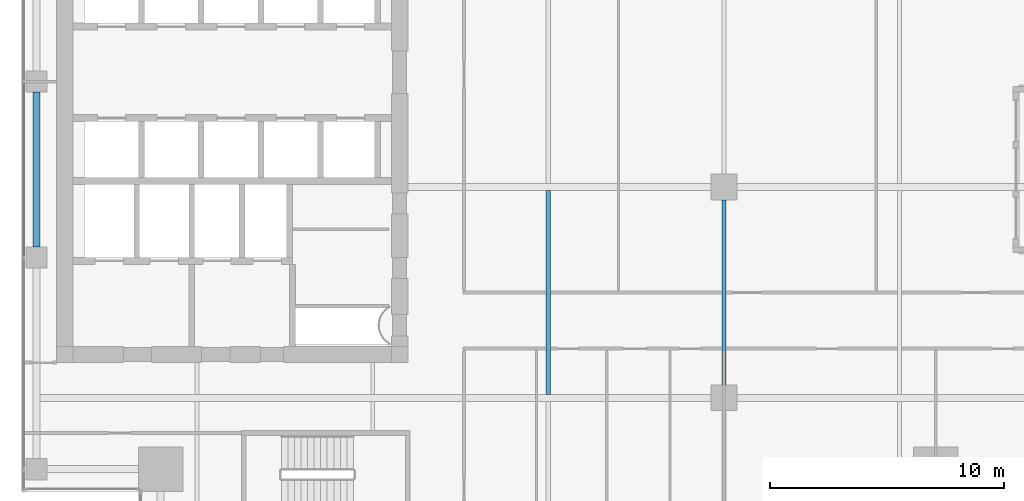
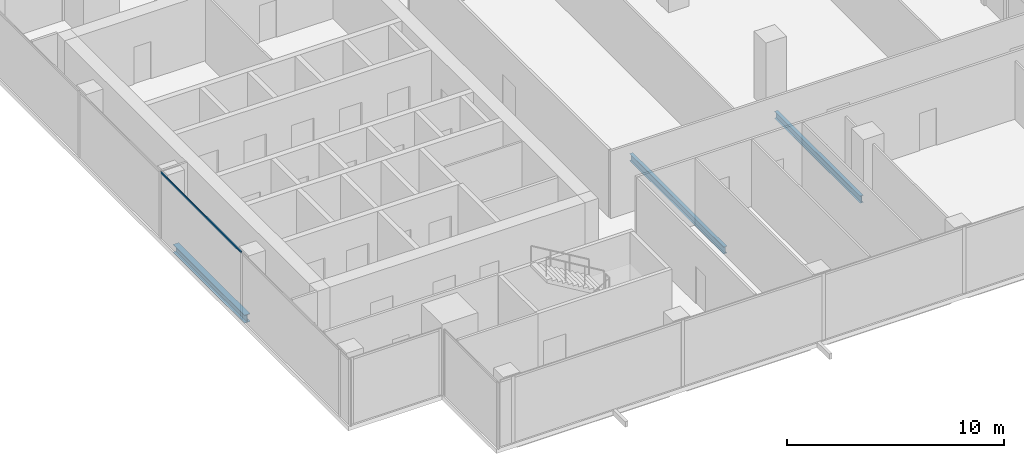
# One storey, part 7 of 36: 3 beams, 1 member, 1 element without a shape of its own.
"""IFC4 building model written with IfcOpenShell, lengths in metres."""

from ifc_helpers import new_model, si_unit, direction, frame, origin, origin_2d, place, context, subcontext, project, spatial, hollow_rectangle, i_section, extrude, source, transform, mapped, material, material_profile, profile_set, type_object, element, aggregate, save


model = new_model("IFC4")

# Units and contexts
model_context = context("Model", 3, precision=1e-05, world=origin(), true_north=direction((0.0, 1.0)))
body_context = subcontext(model_context, "Body", "Model", "MODEL_VIEW")
ifc_project = project(units=[si_unit("LENGTHUNIT", "METRE"), si_unit("AREAUNIT", "SQUARE_METRE"), si_unit("VOLUMEUNIT", "CUBIC_METRE"), si_unit("PLANEANGLEUNIT", "RADIAN"), si_unit("MASSUNIT", "GRAM", prefix="KILO")], contexts=[model_context])

# Site, building, storey
site_placement = place(None, origin())
site = spatial("IfcSite", under=ifc_project, at=site_placement, CompositionType="ELEMENT")
building_placement = place(site_placement, origin())
building = spatial("IfcBuilding", under=site, at=building_placement, Name="Khomas Fold Tower", CompositionType="ELEMENT")
storey_placement = place(building_placement, frame((0.0, 0.0, 226.199951171875)))
storey = spatial("IfcBuildingStorey", under=building, at=storey_placement, Name="L50", CompositionType="ELEMENT", Elevation=226.199951171875)

# Beams
ifc_material_1 = material(Name="Steel S355", Category="steel")
ifc_material_profile_1 = material_profile(ifc_material_1, i_section(OverallWidth=0.179931640625, OverallDepth=0.39990234375, WebThickness=0.008544921875, FlangeThickness=0.013427734375, at=origin_2d()), Name="IPE 400")
ifc_profile_set_1 = profile_set([ifc_material_profile_1], Name="Steel S355")
beam_type_1 = type_object("IfcBeamType", Name="IPE 400 beam JB3", PredefinedType="BEAM", material=ifc_profile_set_1)
shared_shape_1 = source(origin(), body_context, "Body", "SweptSolid", [
    extrude(i_section(OverallWidth=0.179931640625, OverallDepth=0.39990234375, WebThickness=0.008544921875, FlangeThickness=0.013427734375, at=origin_2d()), origin(), (0.0, 0.0, 1.0), 8.7001953125),
])
beam_1_placement = place(storey_placement, frame((27.0, 13.64990234375, -0.449951171875), z_axis=(0.0, 1.0, 0.0), x_axis=(-1.0, 0.0, 0.0)))
element("IfcBeam", 1, at=beam_1_placement, inside=storey, type_object=beam_type_1, Name="JB3", PredefinedType="BEAM", context=body_context, shape_type="MappedRepresentation", body=[
    mapped(shared_shape_1, transform((0.0, 0.0, 0.0))),
])
ifc_material_2 = material(Name="Steel S355", Category="steel")
ifc_material_profile_2 = material_profile(ifc_material_2, i_section(OverallWidth=0.300048828125, OverallDepth=0.449951171875, WebThickness=0.013916015625, FlangeThickness=0.02587890625, at=origin_2d()), Name="HE 450 B")
ifc_profile_set_2 = profile_set([ifc_material_profile_2], Name="Steel S355")
beam_type_2 = type_object("IfcBeamType", Name="HE 450 B spandrel SB4", PredefinedType="SPANDREL", material=ifc_profile_set_2)
shared_shape_2 = source(origin(), body_context, "Body", "SweptSolid", [
    extrude(i_section(OverallWidth=0.300048828125, OverallDepth=0.449951171875, WebThickness=0.013916015625, FlangeThickness=0.02587890625, at=origin_2d()), origin(), (0.0, 0.0, 1.0), 6.60009765625),
])
beam_2_placement = place(storey_placement, frame((5.14990234375, 19.949951171875, -0.474853515625), z_axis=(0.0, 1.0, 0.0), x_axis=(-1.0, 0.0, 0.0)))
element("IfcBeam", 2, at=beam_2_placement, inside=storey, type_object=beam_type_2, Name="SB4", PredefinedType="SPANDREL", context=body_context, shape_type="MappedRepresentation", body=[
    mapped(shared_shape_2, transform((0.0, 0.0, 0.0))),
])
shared_shape_3 = source(origin(), body_context, "Body", "SweptSolid", [
    extrude(i_section(OverallWidth=0.179931640625, OverallDepth=0.39990234375, WebThickness=0.008544921875, FlangeThickness=0.013427734375, at=origin_2d()), origin(), (0.0, 0.0, 1.0), 7.89990234375),
])
beam_3_placement = place(storey_placement, frame((34.5, 14.050048828125, -0.449951171875), z_axis=(0.0, 1.0, 0.0), x_axis=(-1.0, 0.0, 0.0)))
element("IfcBeam", 3, at=beam_3_placement, inside=storey, type_object=beam_type_1, Name="JB3", PredefinedType="BEAM", context=body_context, shape_type="MappedRepresentation", body=[
    mapped(shared_shape_3, transform((0.0, 0.0, 0.0))),
])

# Curtain wall, member
ifc_material_3 = material(Name="Aluminium framed double glazing", Category="aluminium")
curtain_wall_type = type_object("IfcCurtainWallType", Name="SK-Unitised clear-glass wall, office floors CW2", PredefinedType="NOTDEFINED", material=ifc_material_3)
curtain_wall_placement = place(storey_placement, origin())
curtain_wall = element("IfcCurtainWall", 4, at=curtain_wall_placement, inside=storey, type_object=curtain_wall_type, Name="CW2 run L50 09-0", PredefinedType="NOTDEFINED")
ifc_material_4 = material(Name="Aluminium", Category="aluminium")
ifc_material_profile_3 = material_profile(ifc_material_4, hollow_rectangle(XDim=0.050048828125, YDim=0.110107421875, WallThickness=0.00390625, at=origin_2d()), Name="SK-Unitised clear-glass wall, office floors transom CW2-T")
ifc_profile_set_3 = profile_set([ifc_material_profile_3], Name="Aluminium")
member_type = type_object("IfcMemberType", Name="SK-Unitised clear-glass wall, office floors transom CW2-T", PredefinedType="USERDEFINED", material=ifc_profile_set_3)
shared_shape_4 = source(origin(), body_context, "Body", "SweptSolid", [
    extrude(hollow_rectangle(XDim=0.050048828125, YDim=0.110107421875, WallThickness=0.00390625, at=origin_2d()), origin(), (0.0, 0.0, 1.0), 7.43994140625),
])
member_placement = place(storey_placement, frame((4.60009765625, 26.969970703125, 3.695068359375), z_axis=(0.0, -1.0, 0.0), x_axis=(1.0, 0.0, 0.0)))
member = element("IfcMember", 5, at=member_placement, type_object=member_type, Name="CW2 transom 4", ObjectType="TRANSOM", PredefinedType="USERDEFINED", context=body_context, shape_type="MappedRepresentation", body=[
    mapped(shared_shape_4, transform((0.0, 0.0, 0.0))),
])
aggregate(curtain_wall, [member])

save(model, "model.ifc")
